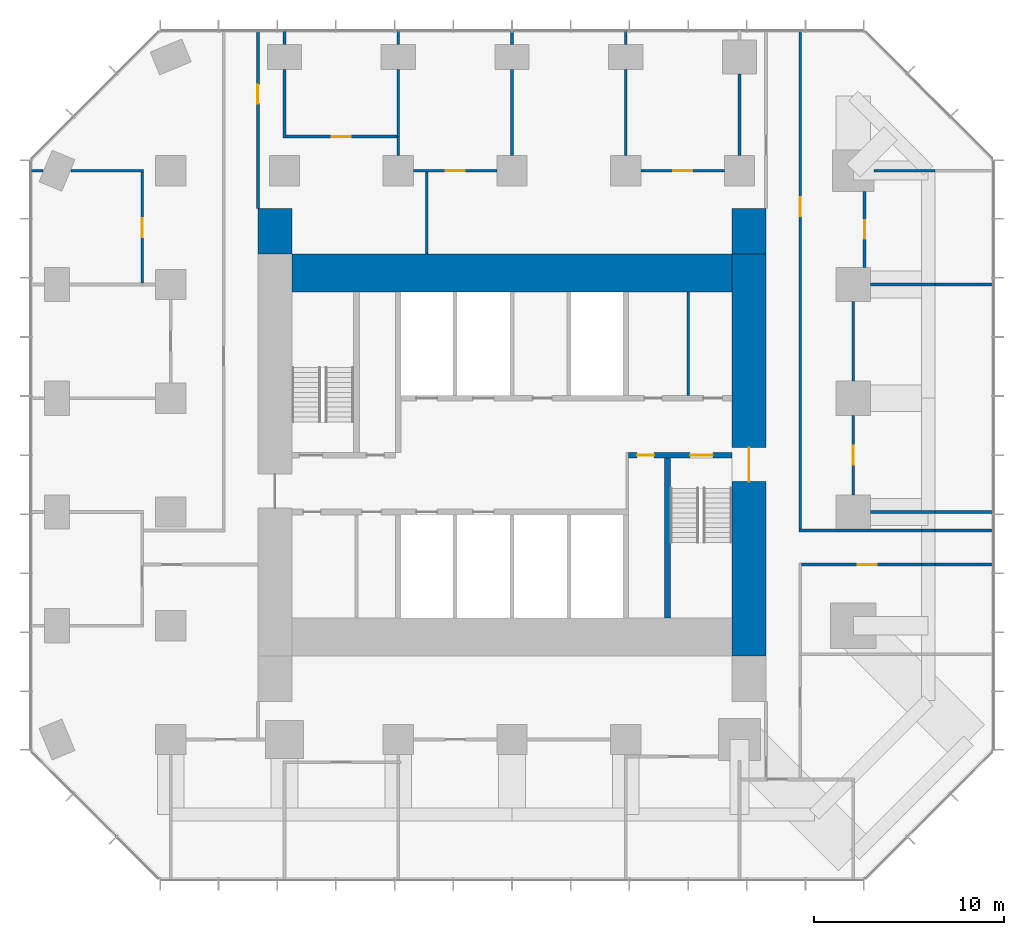
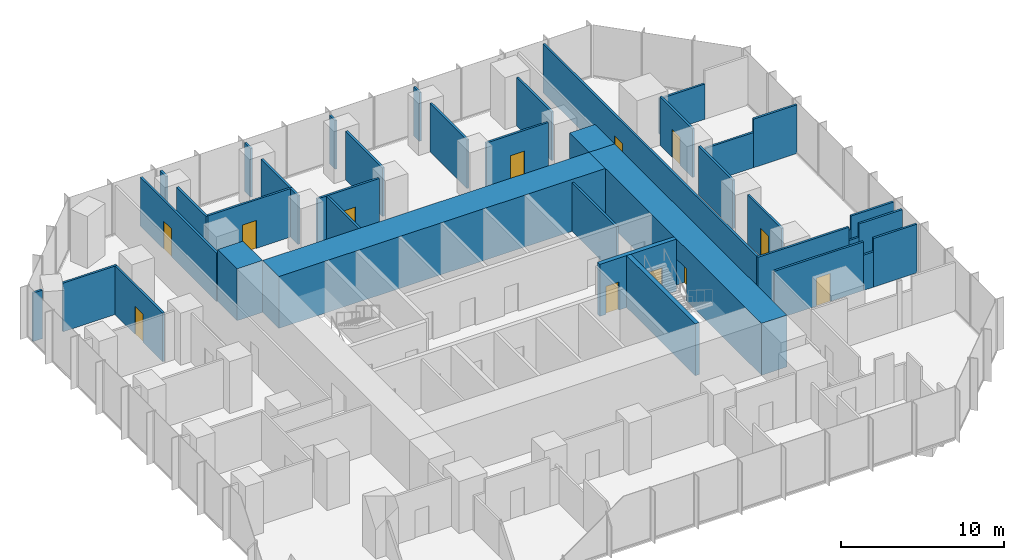
# One storey, part 10 of 12: 40 walls, 12 doors, 12 openings.
"""IFC4 building model written with IfcOpenShell, lengths in metres."""

from ifc_helpers import new_model, si_unit, direction, frame, frame_2d, origin, place, context, subcontext, project, spatial, rectangle, extrude, material, layer, layer_set, type_object, element, fill, save


model = new_model("IFC4")

# Units and contexts
model_context = context("Model", 3, precision=1e-05, world=origin(), true_north=direction((0.0, 1.0)))
body_context = subcontext(model_context, "Body", "Model", "MODEL_VIEW")
ifc_project = project(units=[si_unit("LENGTHUNIT", "METRE"), si_unit("AREAUNIT", "SQUARE_METRE"), si_unit("VOLUMEUNIT", "CUBIC_METRE"), si_unit("PLANEANGLEUNIT", "RADIAN"), si_unit("MASSUNIT", "GRAM", prefix="KILO")], contexts=[model_context])

# Site, building, storey
site_placement = place(None, origin())
site = spatial("IfcSite", under=ifc_project, at=site_placement, CompositionType="ELEMENT")
building_placement = place(site_placement, origin())
building = spatial("IfcBuilding", under=site, at=building_placement, Name="Highveld Stack Headquarters", CompositionType="ELEMENT")
storey_placement = place(building_placement, frame((0.0, 0.0, 148.39990234375)))
storey = spatial("IfcBuildingStorey", under=building, at=storey_placement, Name="L36", CompositionType="ELEMENT", Elevation=148.39990234375)

# Wall, opening, door
ifc_material_1 = material(Name="Concrete C60/75", Category="concrete")
ifc_layer_1 = layer(ifc_material_1, 1.800048828125)
ifc_layer_set_1 = layer_set([ifc_layer_1], Name="Concrete C60/75")
wall_type_1 = type_object("IfcWallType", Name="CORE WALL 1800 C60/75", PredefinedType="SHEAR", material=ifc_layer_set_1)
wall_1_placement = place(storey_placement, frame((18.5, -7.60009765625, 0.0), z_axis=(0.0, 0.0, 1.0), x_axis=(0.0, 1.0, 0.0)))
wall_1 = element("IfcWall", 1, at=wall_1_placement, inside=storey, type_object=wall_type_1, Name="Core wall E L36", PredefinedType="SHEAR", context=body_context, shape_type="SweptSolid", body=[
    extrude(rectangle(XDim=21.2001953125, YDim=1.800048828125, at=frame_2d((10.60009765625, 0.0))), origin(), (0.0, 0.0, 1.0), 3.900146484375),
])
opening_1_placement = place(wall_1_placement, frame((9.199951171875, 0.0, 0.0)))
opening_1 = element("IfcOpeningElement", 2, at=opening_1_placement, cuts=wall_1, Name="Opening L36-02", PredefinedType="OPENING", context=body_context, shape_type="SweptSolid", body=[
    extrude(rectangle(XDim=1.800048828125, YDim=2.39990234375, at=frame_2d((0.89990234375, 1.199951171875))), frame((0.0, 0.909912109375, 0.0), z_axis=(0.0, -1.0, 0.0), x_axis=(1.0, 0.0, 0.0)), (0.0, 0.0, 1.0), 1.820068359375),
])
ifc_material_2 = material(Name="Steel fire door", Category="steel")
door_type_1 = type_object("IfcDoorType", Name="LOBBY FIRE DOOR D4 1800x2400", OperationType="DOUBLE_DOOR_SINGLE_SWING", PredefinedType="DOOR", material=ifc_material_2)
door_1_placement = place(opening_1_placement, origin())
door_1 = element("IfcDoor", 3, at=door_1_placement, inside=storey, type_object=door_type_1, Name="Core east door L36", OperationType="DOUBLE_DOOR_SINGLE_SWING", OverallHeight=2.39990234375, OverallWidth=1.800048828125, PredefinedType="DOOR", context=body_context, shape_type="SweptSolid", body=[
    extrude(rectangle(XDim=1.800048828125, YDim=2.39990234375, at=frame_2d((0.89990234375, 1.199951171875))), frame((0.0, 0.02490234375, 0.0), z_axis=(0.0, -1.0, 0.0), x_axis=(1.0, 0.0, 0.0)), (0.0, 0.0, 1.0), 0.050048828125),
])
fill(opening_1, door_1)

# Wall
ifc_material_3 = material(Name="Concrete C60/75", Category="concrete")
ifc_layer_2 = layer(ifc_material_3, 2.0)
ifc_layer_set_2 = layer_set([ifc_layer_2], Name="Concrete C60/75")
wall_type_2 = type_object("IfcWallType", Name="CORE WALL 2000 C60/75", PredefinedType="SHEAR", material=ifc_layer_set_2)
wall_2_placement = place(storey_placement, frame((-5.60009765625, 12.60009765625, 0.0), z_axis=(0.0, 0.0, 1.0), x_axis=(1.0, 0.0, 0.0)))
element("IfcWall", 4, at=wall_2_placement, inside=storey, type_object=wall_type_2, Name="Core wall N L36", PredefinedType="SHEAR", context=body_context, shape_type="SweptSolid", body=[
    extrude(rectangle(XDim=23.2001953125, YDim=2.0, at=frame_2d((11.60009765625, 0.0))), origin(), (0.0, 0.0, 1.0), 3.900146484375),
])

# Wall, openings, doors
ifc_material_4 = material(Name="Concrete C60/75", Category="concrete")
ifc_layer_3 = layer(ifc_material_4, 0.300048828125)
ifc_layer_set_3 = layer_set([ifc_layer_3], Name="Concrete C60/75")
wall_type_3 = type_object("IfcWallType", Name="CORE WALL 300 C60/75", PredefinedType="SHEAR", material=ifc_layer_set_3)
wall_3_placement = place(storey_placement, frame((12.14990234375, 3.0, 0.0), z_axis=(0.0, 0.0, 1.0), x_axis=(1.0, 0.0, 0.0)))
wall_3 = element("IfcWall", 5, at=wall_3_placement, inside=storey, type_object=wall_type_3, Name="Core wall I-Y3E L36", PredefinedType="SHEAR", context=body_context, shape_type="SweptSolid", body=[
    extrude(rectangle(XDim=5.4501953125, YDim=0.300048828125, at=frame_2d((2.72509765625, 0.0))), origin(), (0.0, 0.0, 1.0), 3.900146484375),
])
opening_2_placement = place(wall_3_placement, frame((3.25, 0.0, 0.0)))
opening_2 = element("IfcOpeningElement", 6, at=opening_2_placement, cuts=wall_3, Name="Opening L36-05", PredefinedType="OPENING", context=body_context, shape_type="SweptSolid", body=[
    extrude(rectangle(XDim=1.199951171875, YDim=2.10009765625, at=frame_2d((0.60009765625, 1.050048828125))), frame((0.0, 0.159912109375, 0.0), z_axis=(0.0, -1.0, 0.0), x_axis=(1.0, 0.0, 0.0)), (0.0, 0.0, 1.0), 0.320068359375),
])
opening_3_placement = place(wall_3_placement, frame((0.449951171875, 0.0, 0.0)))
opening_3 = element("IfcOpeningElement", 7, at=opening_3_placement, cuts=wall_3, Name="Opening L36-06", PredefinedType="OPENING", context=body_context, shape_type="SweptSolid", body=[
    extrude(rectangle(XDim=0.89990234375, YDim=2.10009765625, at=frame_2d((0.449951171875, 1.050048828125))), frame((0.0, 0.159912109375, 0.0), z_axis=(0.0, -1.0, 0.0), x_axis=(1.0, 0.0, 0.0)), (0.0, 0.0, 1.0), 0.320068359375),
])
ifc_material_5 = material(Name="Steel fire door", Category="steel")
door_type_2 = type_object("IfcDoorType", Name="RISER ACCESS DOOR D5 900x2100", OperationType="SINGLE_SWING_LEFT", PredefinedType="DOOR", material=ifc_material_5)
door_2_placement = place(opening_3_placement, origin())
door_2 = element("IfcDoor", 8, at=door_2_placement, inside=storey, type_object=door_type_2, Name="Riser R2 door L36", OperationType="SINGLE_SWING_LEFT", OverallHeight=2.10009765625, OverallWidth=0.89990234375, PredefinedType="DOOR", context=body_context, shape_type="SweptSolid", body=[
    extrude(rectangle(XDim=0.89990234375, YDim=2.10009765625, at=frame_2d((0.449951171875, 1.050048828125))), frame((0.0, 0.02490234375, 0.0), z_axis=(0.0, -1.0, 0.0), x_axis=(1.0, 0.0, 0.0)), (0.0, 0.0, 1.0), 0.050048828125),
])
fill(opening_3, door_2)
ifc_material_6 = material(Name="Steel fire door", Category="steel")
door_type_3 = type_object("IfcDoorType", Name="STAIR FIRE DOOR D3 1200x2100", OperationType="SINGLE_SWING_LEFT", PredefinedType="DOOR", material=ifc_material_6)
door_3_placement = place(opening_2_placement, origin())
door_3 = element("IfcDoor", 9, at=door_3_placement, inside=storey, type_object=door_type_3, Name="Stair S2 door L36", OperationType="SINGLE_SWING_RIGHT", OverallHeight=2.10009765625, OverallWidth=1.199951171875, PredefinedType="DOOR", context=body_context, shape_type="SweptSolid", body=[
    extrude(rectangle(XDim=1.199951171875, YDim=2.10009765625, at=frame_2d((0.60009765625, 1.050048828125))), frame((0.0, 0.02490234375, 0.0), z_axis=(0.0, -1.0, 0.0), x_axis=(1.0, 0.0, 0.0)), (0.0, 0.0, 1.0), 0.050048828125),
])
fill(opening_2, door_3)

# Walls
wall_4_placement = place(storey_placement, frame((14.199951171875, -5.60009765625, 0.0), z_axis=(0.0, 0.0, 1.0), x_axis=(0.0, 1.0, 0.0)))
element("IfcWall", 10, at=wall_4_placement, inside=storey, type_object=wall_type_3, Name="Core wall I-RE L36", PredefinedType="SHEAR", context=body_context, shape_type="SweptSolid", body=[
    extrude(rectangle(XDim=8.4501953125, YDim=0.300048828125, at=frame_2d((4.22509765625, 0.0))), origin(), (0.0, 0.0, 1.0), 3.900146484375),
])
ifc_material_7 = material(Name="Concrete C60/75", Category="concrete")
ifc_layer_4 = layer(ifc_material_7, 1.800048828125)
ifc_layer_set_4 = layer_set([ifc_layer_4], Name="Concrete C60/75")
wall_type_4 = type_object("IfcWallType", Name="CORE WING WALL 1800 C60/75", PredefinedType="SHEAR", material=ifc_layer_set_4)
for number, where, z_axis, x_axis, name in (
    (11, (-6.5, 13.60009765625, 0.0), (0.0, 0.0, 1.0), (0.0, 1.0, 0.0), "Core wing wall WN L36"),
    (12, (18.5, 13.60009765625, 0.0), (0.0, 0.0, 1.0), (0.0, 1.0, 0.0), "Core wing wall EN L36"),
):
    element("IfcWall", number, at=place(storey_placement, frame(where, z_axis=z_axis, x_axis=x_axis)), inside=storey, type_object=wall_type_4, Name=name, PredefinedType="SHEAR", context=body_context, shape_type="SweptSolid", body=[
        extrude(rectangle(XDim=2.39990234375, YDim=1.800048828125, at=frame_2d((1.199951171875, 0.0))), origin(), (0.0, 0.0, 1.0), 3.900146484375),
    ])

# Wall, opening, door
ifc_material_8 = material(Name="Laminated glass in aluminium frame", Category="aluminium")
ifc_layer_5 = layer(ifc_material_8, 0.14990234375)
ifc_layer_set_5 = layer_set([ifc_layer_5], Name="Laminated glass in aluminium frame")
wall_type_5 = type_object("IfcWallType", Name="GLAZED PARTITION 150", PredefinedType="PARTITIONING", material=ifc_layer_set_5)
wall_5_placement = place(storey_placement, frame((24.60009765625, 12.89990234375, 0.0), z_axis=(0.0, 0.0, 1.0), x_axis=(0.0, 1.0, 0.0)))
wall_5 = element("IfcWall", 13, at=wall_5_placement, inside=storey, type_object=wall_type_5, Name="Glazed partition Video conference room L36", PredefinedType="PARTITIONING", context=body_context, shape_type="SweptSolid", body=[
    extrude(rectangle(XDim=4.0, YDim=0.14990234375, at=frame_2d((2.0, 0.0))), origin(), (0.0, 0.0, 1.0), 3.650146484375),
])
opening_4_placement = place(wall_5_placement, frame((1.5, 0.0, 0.0)))
opening_4 = element("IfcOpeningElement", 14, at=opening_4_placement, cuts=wall_5, Name="Opening L36-21", PredefinedType="OPENING", context=body_context, shape_type="SweptSolid", body=[
    extrude(rectangle(XDim=1.0, YDim=2.10009765625, at=frame_2d((0.5, 1.050048828125))), frame((0.0, 0.0849609375, 0.0), z_axis=(0.0, -1.0, 0.0), x_axis=(1.0, 0.0, 0.0)), (0.0, 0.0, 1.0), 0.169921875),
])
ifc_material_9 = material(Name="Timber door, oiled ash", Category="wood")
door_type_4 = type_object("IfcDoorType", Name="ROOM DOOR D6 1000x2100", OperationType="SINGLE_SWING_LEFT", PredefinedType="DOOR", material=ifc_material_9)
door_4_placement = place(opening_4_placement, origin())
door_4 = element("IfcDoor", 15, at=door_4_placement, inside=storey, type_object=door_type_4, Name="Video conference room door 1 L36", OperationType="SINGLE_SWING_LEFT", OverallHeight=2.10009765625, OverallWidth=1.0, PredefinedType="DOOR", context=body_context, shape_type="SweptSolid", body=[
    extrude(rectangle(XDim=1.0, YDim=2.10009765625, at=frame_2d((0.5, 1.050048828125))), frame((0.0, 0.02490234375, 0.0), z_axis=(0.0, -1.0, 0.0), x_axis=(1.0, 0.0, 0.0)), (0.0, 0.0, 1.0), 0.050048828125),
])
fill(opening_4, door_4)

# Walls
ifc_material_10 = material(Name="Gypsum plasterboard on steel studs", Category="steel")
ifc_layer_6 = layer(ifc_material_10, 0.14990234375)
ifc_layer_set_6 = layer_set([ifc_layer_6], Name="Gypsum plasterboard on steel studs")
wall_type_6 = type_object("IfcWallType", Name="PARTITION 150 PLASTERBOARD", PredefinedType="PARTITIONING", material=ifc_layer_set_6)
wall_6_placement = place(storey_placement, frame((24.89990234375, 0.0, 0.0), z_axis=(0.0, 0.0, 1.0), x_axis=(1.0, 0.0, 0.0)))
element("IfcWall", 16, at=wall_6_placement, inside=storey, type_object=wall_type_6, Name="Partition Team office L36", PredefinedType="PARTITIONING", context=body_context, shape_type="SweptSolid", body=[
    extrude(rectangle(XDim=3.41015625, YDim=0.14990234375, at=frame_2d((1.705078125, 0.0))), origin(), (0.0, 0.0, 1.0), 2.650146484375),
])
wall_7_placement = place(storey_placement, frame((28.31005859375, 0.0, 0.0), z_axis=(0.0, 0.0, 1.0), x_axis=(1.0, 0.0, 0.0)))
element("IfcWall", 17, at=wall_7_placement, inside=storey, type_object=wall_type_6, Name="Partition Team office L36", PredefinedType="PARTITIONING", context=body_context, shape_type="SweptSolid", body=[
    extrude(rectangle(XDim=3.0400390625, YDim=0.14990234375, at=frame_2d((1.52001953125, 0.0))), origin(), (0.0, 0.0, 1.0), 3.650146484375),
])
wall_8_placement = place(storey_placement, frame((24.89990234375, 12.0, 0.0), z_axis=(0.0, 0.0, 1.0), x_axis=(1.0, 0.0, 0.0)))
element("IfcWall", 18, at=wall_8_placement, inside=storey, type_object=wall_type_6, Name="Partition Team office / Video conference room L36", PredefinedType="PARTITIONING", context=body_context, shape_type="SweptSolid", body=[
    extrude(rectangle(XDim=3.41015625, YDim=0.14990234375, at=frame_2d((1.705078125, 0.0))), origin(), (0.0, 0.0, 1.0), 2.650146484375),
])
wall_9_placement = place(storey_placement, frame((28.31005859375, 12.0, 0.0), z_axis=(0.0, 0.0, 1.0), x_axis=(1.0, 0.0, 0.0)))
element("IfcWall", 19, at=wall_9_placement, inside=storey, type_object=wall_type_6, Name="Partition Team office / Video conference room L36", PredefinedType="PARTITIONING", context=body_context, shape_type="SweptSolid", body=[
    extrude(rectangle(XDim=3.08984375, YDim=0.14990234375, at=frame_2d((1.544921875, 0.0))), origin(), (0.0, 0.0, 1.0), 3.650146484375),
])
wall_10_placement = place(storey_placement, frame((-19.39990234375, 18.0, 0.0), z_axis=(0.0, 0.0, 1.0), x_axis=(1.0, 0.0, 0.0)))
element("IfcWall", 20, at=wall_10_placement, inside=storey, type_object=wall_type_6, Name="Partition Quiet room L36", PredefinedType="PARTITIONING", context=body_context, shape_type="SweptSolid", body=[
    extrude(rectangle(XDim=0.665283203125, YDim=0.14990234375, at=frame_2d((0.33251953125, 0.0))), origin(), (0.0, 0.0, 1.0), 3.650146484375),
])
wall_11_placement = place(storey_placement, frame((-17.265380859375, 18.0, 0.0), z_axis=(0.0, 0.0, 1.0), x_axis=(1.0, 0.0, 0.0)))
element("IfcWall", 21, at=wall_11_placement, inside=storey, type_object=wall_type_6, Name="Partition Quiet room L36", PredefinedType="PARTITIONING", context=body_context, shape_type="SweptSolid", body=[
    extrude(rectangle(XDim=3.84033203125, YDim=0.14990234375, at=frame_2d((1.920166015625, 0.0))), origin(), (0.0, 0.0, 1.0), 3.650146484375),
])

# Wall, opening, door
wall_12_placement = place(storey_placement, frame((0.800048828125, 18.0, 0.0), z_axis=(0.0, 0.0, 1.0), x_axis=(1.0, 0.0, 0.0)))
wall_12 = element("IfcWall", 22, at=wall_12_placement, inside=storey, type_object=wall_type_6, Name="Partition Office L36", PredefinedType="PARTITIONING", context=body_context, shape_type="SweptSolid", body=[
    extrude(rectangle(XDim=4.39990234375, YDim=0.14990234375, at=frame_2d((2.199951171875, 0.0))), origin(), (0.0, 0.0, 1.0), 3.650146484375),
])
opening_5_placement = place(wall_12_placement, frame((1.699951171875, 0.0, 0.0)))
opening_5 = element("IfcOpeningElement", 23, at=opening_5_placement, cuts=wall_12, Name="Opening L36-23", PredefinedType="OPENING", context=body_context, shape_type="SweptSolid", body=[
    extrude(rectangle(XDim=1.0, YDim=2.10009765625, at=frame_2d((0.5, 1.050048828125))), frame((0.0, 0.0849609375, 0.0), z_axis=(0.0, -1.0, 0.0), x_axis=(1.0, 0.0, 0.0)), (0.0, 0.0, 1.0), 0.169921875),
])
door_5_placement = place(opening_5_placement, origin())
door_5 = element("IfcDoor", 24, at=door_5_placement, inside=storey, type_object=door_type_4, Name="Office door 1 L36", OperationType="SINGLE_SWING_RIGHT", OverallHeight=2.10009765625, OverallWidth=1.0, PredefinedType="DOOR", context=body_context, shape_type="SweptSolid", body=[
    extrude(rectangle(XDim=1.0, YDim=2.10009765625, at=frame_2d((0.5, 1.050048828125))), frame((0.0, 0.02490234375, 0.0), z_axis=(0.0, -1.0, 0.0), x_axis=(1.0, 0.0, 0.0)), (0.0, 0.0, 1.0), 0.050048828125),
])
fill(opening_5, door_5)

wall_13_placement = place(storey_placement, frame((12.800048828125, 18.0, 0.0), z_axis=(0.0, 0.0, 1.0), x_axis=(1.0, 0.0, 0.0)))
wall_13 = element("IfcWall", 25, at=wall_13_placement, inside=storey, type_object=wall_type_6, Name="Partition Office L36", PredefinedType="PARTITIONING", context=body_context, shape_type="SweptSolid", body=[
    extrude(rectangle(XDim=4.39990234375, YDim=0.14990234375, at=frame_2d((2.199951171875, 0.0))), origin(), (0.0, 0.0, 1.0), 3.650146484375),
])
opening_6_placement = place(wall_13_placement, frame((1.699951171875, 0.0, 0.0)))
opening_6 = element("IfcOpeningElement", 26, at=opening_6_placement, cuts=wall_13, Name="Opening L36-24", PredefinedType="OPENING", context=body_context, shape_type="SweptSolid", body=[
    extrude(rectangle(XDim=1.0, YDim=2.10009765625, at=frame_2d((0.5, 1.050048828125))), frame((0.0, 0.0849609375, 0.0), z_axis=(0.0, -1.0, 0.0), x_axis=(1.0, 0.0, 0.0)), (0.0, 0.0, 1.0), 0.169921875),
])
door_6_placement = place(opening_6_placement, origin())
door_6 = element("IfcDoor", 27, at=door_6_placement, inside=storey, type_object=door_type_4, Name="Office door 1 L36", OperationType="SINGLE_SWING_LEFT", OverallHeight=2.10009765625, OverallWidth=1.0, PredefinedType="DOOR", context=body_context, shape_type="SweptSolid", body=[
    extrude(rectangle(XDim=1.0, YDim=2.10009765625, at=frame_2d((0.5, 1.050048828125))), frame((0.0, 0.02490234375, 0.0), z_axis=(0.0, -1.0, 0.0), x_axis=(1.0, 0.0, 0.0)), (0.0, 0.0, 1.0), 0.050048828125),
])
fill(opening_6, door_6)

# Wall
wall_14_placement = place(storey_placement, frame((25.10009765625, 18.0, 0.0), z_axis=(0.0, 0.0, 1.0), x_axis=(1.0, 0.0, 0.0)))
element("IfcWall", 28, at=wall_14_placement, inside=storey, type_object=wall_type_6, Name="Partition Video conference room L36", PredefinedType="PARTITIONING", context=body_context, shape_type="SweptSolid", body=[
    extrude(rectangle(XDim=3.2099609375, YDim=0.14990234375, at=frame_2d((1.60498046875, 0.0))), origin(), (0.0, 0.0, 1.0), 2.650146484375),
])

# Wall, opening, door
wall_15_placement = place(storey_placement, frame((-5.925048828125, 19.800048828125, 0.0), z_axis=(0.0, 0.0, 1.0), x_axis=(1.0, 0.0, 0.0)))
wall_15 = element("IfcWall", 29, at=wall_15_placement, inside=storey, type_object=wall_type_6, Name="Partition Print room L36", PredefinedType="PARTITIONING", context=body_context, shape_type="SweptSolid", body=[
    extrude(rectangle(XDim=5.85009765625, YDim=0.14990234375, at=frame_2d((2.925048828125, 0.0))), origin(), (0.0, 0.0, 1.0), 3.650146484375),
])
opening_7_placement = place(wall_15_placement, frame((2.425048828125, 0.0, 0.0)))
opening_7 = element("IfcOpeningElement", 30, at=opening_7_placement, cuts=wall_15, Name="Opening L36-22", PredefinedType="OPENING", context=body_context, shape_type="SweptSolid", body=[
    extrude(rectangle(XDim=1.0, YDim=2.10009765625, at=frame_2d((0.5, 1.050048828125))), frame((0.0, 0.0849609375, 0.0), z_axis=(0.0, -1.0, 0.0), x_axis=(1.0, 0.0, 0.0)), (0.0, 0.0, 1.0), 0.169921875),
])
door_7_placement = place(opening_7_placement, origin())
door_7 = element("IfcDoor", 31, at=door_7_placement, inside=storey, type_object=door_type_4, Name="Print room door 1 L36", OperationType="SINGLE_SWING_RIGHT", OverallHeight=2.10009765625, OverallWidth=1.0, PredefinedType="DOOR", context=body_context, shape_type="SweptSolid", body=[
    extrude(rectangle(XDim=1.0, YDim=2.10009765625, at=frame_2d((0.5, 1.050048828125))), frame((0.0, 0.02490234375, 0.0), z_axis=(0.0, -1.0, 0.0), x_axis=(1.0, 0.0, 0.0)), (0.0, 0.0, 1.0), 0.050048828125),
])
fill(opening_7, door_7)

wall_16_placement = place(storey_placement, frame((-13.5, 12.074951171875, 0.0), z_axis=(0.0, 0.0, 1.0), x_axis=(0.0, 1.0, 0.0)))
wall_16 = element("IfcWall", 32, at=wall_16_placement, inside=storey, type_object=wall_type_6, Name="Partition Quiet room L36", PredefinedType="PARTITIONING", context=body_context, shape_type="SweptSolid", body=[
    extrude(rectangle(XDim=5.85009765625, YDim=0.14990234375, at=frame_2d((2.925048828125, 0.0))), origin(), (0.0, 0.0, 1.0), 3.650146484375),
])
opening_8_placement = place(wall_16_placement, frame((2.425048828125, 0.0, 0.0)))
opening_8 = element("IfcOpeningElement", 33, at=opening_8_placement, cuts=wall_16, Name="Opening L36-19", PredefinedType="OPENING", context=body_context, shape_type="SweptSolid", body=[
    extrude(rectangle(XDim=1.0, YDim=2.10009765625, at=frame_2d((0.5, 1.050048828125))), frame((0.0, 0.0849609375, 0.0), z_axis=(0.0, -1.0, 0.0), x_axis=(1.0, 0.0, 0.0)), (0.0, 0.0, 1.0), 0.169921875),
])
door_8_placement = place(opening_8_placement, origin())
door_8 = element("IfcDoor", 34, at=door_8_placement, inside=storey, type_object=door_type_4, Name="Quiet room door 1 L36", OperationType="SINGLE_SWING_RIGHT", OverallHeight=2.10009765625, OverallWidth=1.0, PredefinedType="DOOR", context=body_context, shape_type="SweptSolid", body=[
    extrude(rectangle(XDim=1.0, YDim=2.10009765625, at=frame_2d((0.5, 1.050048828125))), frame((0.0, 0.02490234375, 0.0), z_axis=(0.0, -1.0, 0.0), x_axis=(1.0, 0.0, 0.0)), (0.0, 0.0, 1.0), 0.050048828125),
])
fill(opening_8, door_8)

# Walls
wall_17_placement = place(storey_placement, frame((-6.0, 19.72509765625, 0.0), z_axis=(0.0, 0.0, 1.0), x_axis=(0.0, 1.0, 0.0)))
element("IfcWall", 35, at=wall_17_placement, inside=storey, type_object=wall_type_6, Name="Partition Print room L36", PredefinedType="PARTITIONING", context=body_context, shape_type="SweptSolid", body=[
    extrude(rectangle(XDim=3.625, YDim=0.14990234375, at=frame_2d((1.8125, 0.0))), origin(), (0.0, 0.0, 1.0), 3.650146484375),
])
wall_18_placement = place(storey_placement, frame((-6.0, 24.64990234375, 0.0), z_axis=(0.0, 0.0, 1.0), x_axis=(0.0, 1.0, 0.0)))
element("IfcWall", 36, at=wall_18_placement, inside=storey, type_object=wall_type_6, Name="Partition Print room L36", PredefinedType="PARTITIONING", context=body_context, shape_type="SweptSolid", body=[
    extrude(rectangle(XDim=0.75, YDim=0.14990234375, at=frame_2d((0.375, 0.0))), origin(), (0.0, 0.0, 1.0), 3.650146484375),
])
wall_19_placement = place(storey_placement, frame((0.0, 18.800048828125, 0.0), z_axis=(0.0, 0.0, 1.0), x_axis=(0.0, 1.0, 0.0)))
element("IfcWall", 37, at=wall_19_placement, inside=storey, type_object=wall_type_6, Name="Partition Office L36", PredefinedType="PARTITIONING", context=body_context, shape_type="SweptSolid", body=[
    extrude(rectangle(XDim=1.0, YDim=0.14990234375, at=frame_2d((0.5, 0.0))), origin(), (0.0, 0.0, 1.0), 3.650146484375),
])
wall_20_placement = place(storey_placement, frame((0.0, 19.800048828125, 0.0), z_axis=(0.0, 0.0, 1.0), x_axis=(0.0, 1.0, 0.0)))
element("IfcWall", 38, at=wall_20_placement, inside=storey, type_object=wall_type_6, Name="Partition Office / Print room L36", PredefinedType="PARTITIONING", context=body_context, shape_type="SweptSolid", body=[
    extrude(rectangle(XDim=3.550048828125, YDim=0.14990234375, at=frame_2d((1.77490234375, 0.0))), origin(), (0.0, 0.0, 1.0), 3.650146484375),
])
wall_21_placement = place(storey_placement, frame((0.0, 24.64990234375, 0.0), z_axis=(0.0, 0.0, 1.0), x_axis=(0.0, 1.0, 0.0)))
element("IfcWall", 39, at=wall_21_placement, inside=storey, type_object=wall_type_6, Name="Partition Office / Print room L36", PredefinedType="PARTITIONING", context=body_context, shape_type="SweptSolid", body=[
    extrude(rectangle(XDim=0.75, YDim=0.14990234375, at=frame_2d((0.375, 0.0))), origin(), (0.0, 0.0, 1.0), 3.650146484375),
])
wall_22_placement = place(storey_placement, frame((6.0, 18.800048828125, 0.0), z_axis=(0.0, 0.0, 1.0), x_axis=(0.0, 1.0, 0.0)))
element("IfcWall", 40, at=wall_22_placement, inside=storey, type_object=wall_type_6, Name="Partition Office L36", PredefinedType="PARTITIONING", context=body_context, shape_type="SweptSolid", body=[
    extrude(rectangle(XDim=4.550048828125, YDim=0.14990234375, at=frame_2d((2.27490234375, 0.0))), origin(), (0.0, 0.0, 1.0), 3.650146484375),
])
wall_23_placement = place(storey_placement, frame((6.0, 24.64990234375, 0.0), z_axis=(0.0, 0.0, 1.0), x_axis=(0.0, 1.0, 0.0)))
element("IfcWall", 41, at=wall_23_placement, inside=storey, type_object=wall_type_6, Name="Partition Office L36", PredefinedType="PARTITIONING", context=body_context, shape_type="SweptSolid", body=[
    extrude(rectangle(XDim=0.7001953125, YDim=0.14990234375, at=frame_2d((0.35009765625, 0.0))), origin(), (0.0, 0.0, 1.0), 3.650146484375),
])
wall_24_placement = place(storey_placement, frame((12.0, 18.800048828125, 0.0), z_axis=(0.0, 0.0, 1.0), x_axis=(0.0, 1.0, 0.0)))
element("IfcWall", 42, at=wall_24_placement, inside=storey, type_object=wall_type_6, Name="Partition Office L36", PredefinedType="PARTITIONING", context=body_context, shape_type="SweptSolid", body=[
    extrude(rectangle(XDim=4.550048828125, YDim=0.14990234375, at=frame_2d((2.27490234375, 0.0))), origin(), (0.0, 0.0, 1.0), 3.650146484375),
])
wall_25_placement = place(storey_placement, frame((12.0, 24.64990234375, 0.0), z_axis=(0.0, 0.0, 1.0), x_axis=(0.0, 1.0, 0.0)))
element("IfcWall", 43, at=wall_25_placement, inside=storey, type_object=wall_type_6, Name="Partition Office L36", PredefinedType="PARTITIONING", context=body_context, shape_type="SweptSolid", body=[
    extrude(rectangle(XDim=0.75, YDim=0.14990234375, at=frame_2d((0.375, 0.0))), origin(), (0.0, 0.0, 1.0), 3.650146484375),
])
wall_26_placement = place(storey_placement, frame((18.0, 18.800048828125, 0.0), z_axis=(0.0, 0.0, 1.0), x_axis=(0.0, 1.0, 0.0)))
element("IfcWall", 44, at=wall_26_placement, inside=storey, type_object=wall_type_6, Name="Partition Office L36", PredefinedType="PARTITIONING", context=body_context, shape_type="SweptSolid", body=[
    extrude(rectangle(XDim=4.300048828125, YDim=0.14990234375, at=frame_2d((2.14990234375, 0.0))), origin(), (0.0, 0.0, 1.0), 3.650146484375),
])

# Wall, opening, door
wall_27_placement = place(storey_placement, frame((24.0, 0.89990234375, 0.0), z_axis=(0.0, 0.0, 1.0), x_axis=(0.0, 1.0, 0.0)))
wall_27 = element("IfcWall", 45, at=wall_27_placement, inside=storey, type_object=wall_type_6, Name="Partition Team office L36", PredefinedType="PARTITIONING", context=body_context, shape_type="SweptSolid", body=[
    extrude(rectangle(XDim=4.2001953125, YDim=0.14990234375, at=frame_2d((2.10009765625, 0.0))), origin(), (0.0, 0.0, 1.0), 3.650146484375),
])
opening_9_placement = place(wall_27_placement, frame((1.60009765625, 0.0, 0.0)))
opening_9 = element("IfcOpeningElement", 46, at=opening_9_placement, cuts=wall_27, Name="Opening L36-20", PredefinedType="OPENING", context=body_context, shape_type="SweptSolid", body=[
    extrude(rectangle(XDim=1.0, YDim=2.10009765625, at=frame_2d((0.5, 1.050048828125))), frame((0.0, 0.0849609375, 0.0), z_axis=(0.0, -1.0, 0.0), x_axis=(1.0, 0.0, 0.0)), (0.0, 0.0, 1.0), 0.169921875),
])
door_9_placement = place(opening_9_placement, origin())
door_9 = element("IfcDoor", 47, at=door_9_placement, inside=storey, type_object=door_type_4, Name="Team office door 1 L36", OperationType="SINGLE_SWING_LEFT", OverallHeight=2.10009765625, OverallWidth=1.0, PredefinedType="DOOR", context=body_context, shape_type="SweptSolid", body=[
    extrude(rectangle(XDim=1.0, YDim=2.10009765625, at=frame_2d((0.5, 1.050048828125))), frame((0.0, 0.02490234375, 0.0), z_axis=(0.0, -1.0, 0.0), x_axis=(1.0, 0.0, 0.0)), (0.0, 0.0, 1.0), 0.050048828125),
])
fill(opening_9, door_9)

# Wall
wall_28_placement = place(storey_placement, frame((24.0, 6.89990234375, 0.0), z_axis=(0.0, 0.0, 1.0), x_axis=(0.0, 1.0, 0.0)))
element("IfcWall", 48, at=wall_28_placement, inside=storey, type_object=wall_type_6, Name="Partition Team office L36", PredefinedType="PARTITIONING", context=body_context, shape_type="SweptSolid", body=[
    extrude(rectangle(XDim=4.2001953125, YDim=0.14990234375, at=frame_2d((2.10009765625, 0.0))), origin(), (0.0, 0.0, 1.0), 3.650146484375),
])

# Wall, opening, door
wall_29_placement = place(storey_placement, frame((-7.39990234375, 16.0, 0.0), z_axis=(0.0, 0.0, 1.0), x_axis=(0.0, 1.0, 0.0)))
wall_29 = element("IfcWall", 49, at=wall_29_placement, inside=storey, type_object=wall_type_6, Name="Partition office neighbourhood L36", PredefinedType="PARTITIONING", context=body_context, shape_type="SweptSolid", body=[
    extrude(rectangle(XDim=9.39990234375, YDim=0.14990234375, at=frame_2d((4.699951171875, 0.0))), origin(), (0.0, 0.0, 1.0), 3.650146484375),
])
opening_10_placement = place(wall_29_placement, frame((5.544921875, 0.0, 0.0)))
opening_10 = element("IfcOpeningElement", 50, at=opening_10_placement, cuts=wall_29, Name="Opening L36-29", PredefinedType="OPENING", context=body_context, shape_type="SweptSolid", body=[
    extrude(rectangle(XDim=1.0, YDim=2.10009765625, at=frame_2d((0.5, 1.050048828125))), frame((0.0, 0.0849609375, 0.0), z_axis=(0.0, -1.0, 0.0), x_axis=(1.0, 0.0, 0.0)), (0.0, 0.0, 1.0), 0.169921875),
])
door_10_placement = place(opening_10_placement, origin())
door_10 = element("IfcDoor", 51, at=door_10_placement, inside=storey, type_object=door_type_4, Name="Office neighbourhood door L36", OperationType="SINGLE_SWING_RIGHT", OverallHeight=2.10009765625, OverallWidth=1.0, PredefinedType="DOOR", context=body_context, shape_type="SweptSolid", body=[
    extrude(rectangle(XDim=1.0, YDim=2.10009765625, at=frame_2d((0.5, 1.050048828125))), frame((0.0, 0.02490234375, 0.0), z_axis=(0.0, -1.0, 0.0), x_axis=(1.0, 0.0, 0.0)), (0.0, 0.0, 1.0), 0.050048828125),
])
fill(opening_10, door_10)

# Wall
wall_30_placement = place(storey_placement, frame((1.5, 13.60009765625, 0.0), z_axis=(0.0, 0.0, 1.0), x_axis=(0.0, 1.0, 0.0)))
element("IfcWall", 52, at=wall_30_placement, inside=storey, type_object=wall_type_6, Name="Partition office neighbourhood L36", PredefinedType="PARTITIONING", context=body_context, shape_type="SweptSolid", body=[
    extrude(rectangle(XDim=4.324951171875, YDim=0.14990234375, at=frame_2d((2.16259765625, 0.0))), origin(), (0.0, 0.0, 1.0), 3.650146484375),
])

# Wall, opening, door
wall_31_placement = place(storey_placement, frame((21.27490234375, -2.77490234375, 0.0), z_axis=(0.0, 0.0, 1.0), x_axis=(1.0, 0.0, 0.0)))
wall_31 = element("IfcWall", 53, at=wall_31_placement, inside=storey, type_object=wall_type_6, Name="Partition office neighbourhood L36", PredefinedType="PARTITIONING", context=body_context, shape_type="SweptSolid", body=[
    extrude(rectangle(XDim=6.315185546875, YDim=0.14990234375, at=frame_2d((3.15771484375, 0.0))), origin(), (0.0, 0.0, 1.0), 3.650146484375),
])
opening_11_placement = place(wall_31_placement, frame((2.9599609375, 0.0, 0.0)))
opening_11 = element("IfcOpeningElement", 54, at=opening_11_placement, cuts=wall_31, Name="Opening L36-26", PredefinedType="OPENING", context=body_context, shape_type="SweptSolid", body=[
    extrude(rectangle(XDim=1.0, YDim=2.10009765625, at=frame_2d((0.5, 1.050048828125))), frame((0.0, 0.0849609375, 0.0), z_axis=(0.0, -1.0, 0.0), x_axis=(1.0, 0.0, 0.0)), (0.0, 0.0, 1.0), 0.169921875),
])
door_11_placement = place(opening_11_placement, origin())
door_11 = element("IfcDoor", 55, at=door_11_placement, inside=storey, type_object=door_type_4, Name="Office neighbourhood door L36", OperationType="SINGLE_SWING_RIGHT", OverallHeight=2.10009765625, OverallWidth=1.0, PredefinedType="DOOR", context=body_context, shape_type="SweptSolid", body=[
    extrude(rectangle(XDim=1.0, YDim=2.10009765625, at=frame_2d((0.5, 1.050048828125))), frame((0.0, 0.02490234375, 0.0), z_axis=(0.0, -1.0, 0.0), x_axis=(1.0, 0.0, 0.0)), (0.0, 0.0, 1.0), 0.050048828125),
])
fill(opening_11, door_11)

# Walls
wall_32_placement = place(storey_placement, frame((27.590087890625, -2.77490234375, 0.0), z_axis=(0.0, 0.0, 1.0), x_axis=(1.0, 0.0, 0.0)))
element("IfcWall", 56, at=wall_32_placement, inside=storey, type_object=wall_type_6, Name="Partition office neighbourhood L36", PredefinedType="PARTITIONING", context=body_context, shape_type="SweptSolid", body=[
    extrude(rectangle(XDim=0.719970703125, YDim=0.14990234375, at=frame_2d((0.35986328125, 0.0))), origin(), (0.0, 0.0, 1.0), 2.650146484375),
])
wall_33_placement = place(storey_placement, frame((28.31005859375, -2.77490234375, 0.0), z_axis=(0.0, 0.0, 1.0), x_axis=(1.0, 0.0, 0.0)))
element("IfcWall", 57, at=wall_33_placement, inside=storey, type_object=wall_type_6, Name="Partition office neighbourhood L36", PredefinedType="PARTITIONING", context=body_context, shape_type="SweptSolid", body=[
    extrude(rectangle(XDim=3.08984375, YDim=0.14990234375, at=frame_2d((1.544921875, 0.0))), origin(), (0.0, 0.0, 1.0), 3.650146484375),
])

# Wall, opening, door
wall_34_placement = place(storey_placement, frame((21.199951171875, -0.89990234375, 0.0), z_axis=(0.0, 0.0, 1.0), x_axis=(0.0, 1.0, 0.0)))
wall_34 = element("IfcWall", 58, at=wall_34_placement, inside=storey, type_object=wall_type_6, Name="Partition office neighbourhood L36", PredefinedType="PARTITIONING", context=body_context, shape_type="SweptSolid", body=[
    extrude(rectangle(XDim=26.2998046875, YDim=0.14990234375, at=frame_2d((13.14990234375, 0.0))), origin(), (0.0, 0.0, 1.0), 3.650146484375),
])
opening_12_placement = place(wall_34_placement, frame((16.50390625, 0.0, 0.0)))
opening_12 = element("IfcOpeningElement", 59, at=opening_12_placement, cuts=wall_34, Name="Opening L36-28", PredefinedType="OPENING", context=body_context, shape_type="SweptSolid", body=[
    extrude(rectangle(XDim=1.0, YDim=2.10009765625, at=frame_2d((0.5, 1.050048828125))), frame((0.0, 0.0849609375, 0.0), z_axis=(0.0, -1.0, 0.0), x_axis=(1.0, 0.0, 0.0)), (0.0, 0.0, 1.0), 0.169921875),
])
door_12_placement = place(opening_12_placement, origin())
door_12 = element("IfcDoor", 60, at=door_12_placement, inside=storey, type_object=door_type_4, Name="Office neighbourhood door L36", OperationType="SINGLE_SWING_RIGHT", OverallHeight=2.10009765625, OverallWidth=1.0, PredefinedType="DOOR", context=body_context, shape_type="SweptSolid", body=[
    extrude(rectangle(XDim=1.0, YDim=2.10009765625, at=frame_2d((0.5, 1.050048828125))), frame((0.0, 0.02490234375, 0.0), z_axis=(0.0, -1.0, 0.0), x_axis=(1.0, 0.0, 0.0)), (0.0, 0.0, 1.0), 0.050048828125),
])
fill(opening_12, door_12)

# Walls
wall_35_placement = place(storey_placement, frame((21.125, -0.97509765625, 0.0), z_axis=(0.0, 0.0, 1.0), x_axis=(1.0, 0.0, 0.0)))
element("IfcWall", 61, at=wall_35_placement, inside=storey, type_object=wall_type_6, Name="Partition office neighbourhood L36", PredefinedType="PARTITIONING", context=body_context, shape_type="SweptSolid", body=[
    extrude(rectangle(XDim=6.465087890625, YDim=0.14990234375, at=frame_2d((3.232421875, 0.0))), origin(), (0.0, 0.0, 1.0), 3.650146484375),
])
wall_36_placement = place(storey_placement, frame((27.590087890625, -0.97509765625, 0.0), z_axis=(0.0, 0.0, 1.0), x_axis=(1.0, 0.0, 0.0)))
element("IfcWall", 62, at=wall_36_placement, inside=storey, type_object=wall_type_6, Name="Partition office neighbourhood L36", PredefinedType="PARTITIONING", context=body_context, shape_type="SweptSolid", body=[
    extrude(rectangle(XDim=0.719970703125, YDim=0.14990234375, at=frame_2d((0.35986328125, 0.0))), origin(), (0.0, 0.0, 1.0), 2.650146484375),
])
wall_37_placement = place(storey_placement, frame((28.31005859375, -0.97509765625, 0.0), z_axis=(0.0, 0.0, 1.0), x_axis=(1.0, 0.0, 0.0)))
element("IfcWall", 63, at=wall_37_placement, inside=storey, type_object=wall_type_6, Name="Partition office neighbourhood L36", PredefinedType="PARTITIONING", context=body_context, shape_type="SweptSolid", body=[
    extrude(rectangle(XDim=3.08984375, YDim=0.14990234375, at=frame_2d((1.544921875, 0.0))), origin(), (0.0, 0.0, 1.0), 3.650146484375),
])
ifc_material_11 = material(Name="Concrete blockwork, tiled", Category="masonry")
ifc_layer_7 = layer(ifc_material_11, 0.14990234375)
ifc_layer_set_7 = layer_set([ifc_layer_7], Name="Concrete blockwork, tiled")
wall_type_7 = type_object("IfcWallType", Name="WC PARTITION 150", PredefinedType="PLUMBINGWALL", material=ifc_layer_set_7)
wall_38_placement = place(storey_placement, frame((15.300048828125, 6.14990234375, 0.0), z_axis=(0.0, 0.0, 1.0), x_axis=(0.0, 1.0, 0.0)))
element("IfcWall", 64, at=wall_38_placement, inside=storey, type_object=wall_type_7, Name="Toilet partition L36", PredefinedType="PLUMBINGWALL", context=body_context, shape_type="SweptSolid", body=[
    extrude(rectangle(XDim=5.4501953125, YDim=0.14990234375, at=frame_2d((2.72509765625, 0.0))), origin(), (0.0, 0.0, 1.0), 3.650146484375),
])

save(model, "model.ifc")
